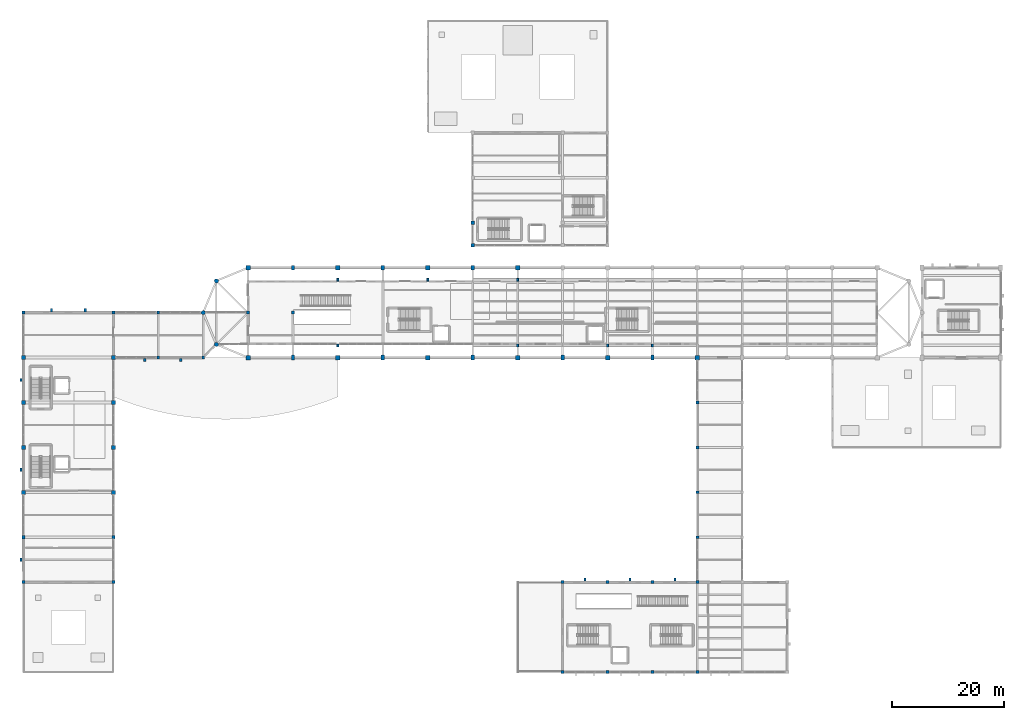
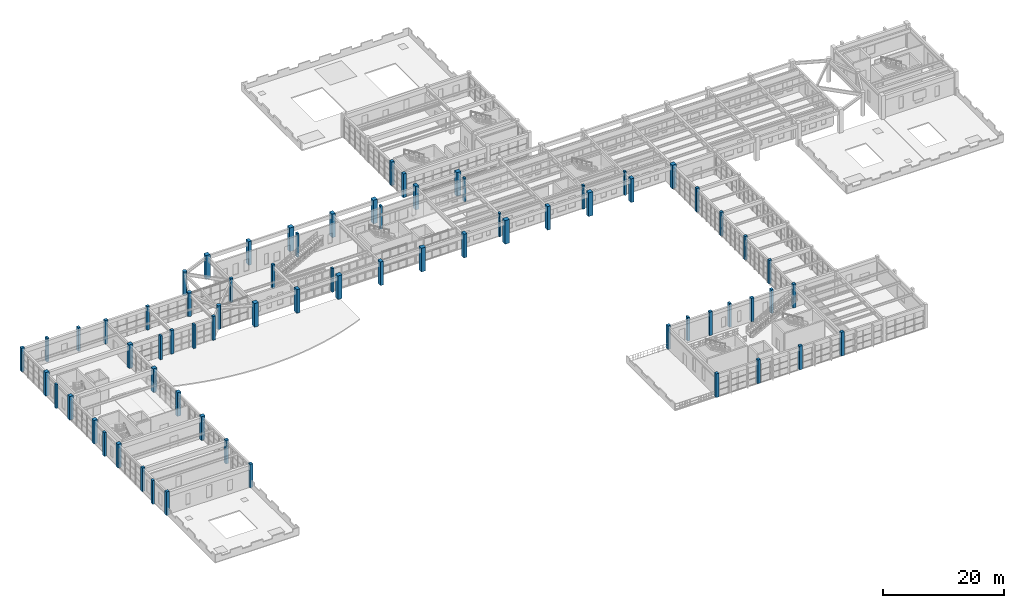
# One storey, part 1 of 59: 71 columns.
"""IFC4 building model written with IfcOpenShell, lengths in metres."""

from ifc_helpers import new_model, si_unit, direction, frame, origin, origin_2d, place, context, subcontext, project, spatial, rectangle, circle, extrude, material, material_profile, profile_set, type_object, element, save


model = new_model("IFC4")

# Units and contexts
model_context = context("Model", 3, precision=1e-05, world=origin(), true_north=direction((0.0, 1.0)))
body_context = subcontext(model_context, "Body", "Model", "MODEL_VIEW")
ifc_project = project(units=[si_unit("LENGTHUNIT", "METRE"), si_unit("AREAUNIT", "SQUARE_METRE"), si_unit("VOLUMEUNIT", "CUBIC_METRE"), si_unit("PLANEANGLEUNIT", "RADIAN"), si_unit("MASSUNIT", "GRAM", prefix="KILO")], contexts=[model_context])

# Site, building, storey
site_placement = place(None, origin())
site = spatial("IfcSite", under=ifc_project, at=site_placement, CompositionType="ELEMENT")
building_placement = place(site_placement, origin())
building = spatial("IfcBuilding", under=site, at=building_placement, Name="Serraluz Foothill Cableway Terminal", CompositionType="ELEMENT")
storey_placement = place(building_placement, frame((0.0, 0.0, 4.800048828125)))
storey = spatial("IfcBuildingStorey", under=building, at=storey_placement, Name="L01", CompositionType="ELEMENT", Elevation=4.800048828125)

# Columns
ifc_material_1 = material(Name="Concrete C35/45 (f'c 35 MPa)", Category="concrete")
ifc_material_profile_1 = material_profile(ifc_material_1, rectangle(XDim=0.5, YDim=0.5, at=origin_2d()), Name="RC 500x500")
ifc_profile_set_1 = profile_set([ifc_material_profile_1], Name="Concrete C35/45 (f'c 35 MPa)")
column_type_1 = type_object("IfcColumnType", Name="TYP-COL-RC500", PredefinedType="COLUMN", material=ifc_profile_set_1)
for number, where, z_axis, x_axis, name in (
    (1, (120.0, 24.0, 0.0), (0.0, 0.0, 1.0), (1.0, 0.0, 0.0), "Column COL-V3-CL-120-24-L01"),
    (2, (120.0, 32.0, 0.0), (0.0, 0.0, 1.0), (1.0, 0.0, 0.0), "Column COL-V3-CL-120-32-L01"),
    (3, (120.0, 40.0, 0.0), (0.0, 0.0, 1.0), (1.0, 0.0, 0.0), "Column COL-V3-CL-120-40-L01"),
    (4, (120.0, 48.0, 0.0), (0.0, 0.0, 1.0), (1.0, 0.0, 0.0), "Column COL-V3-CL-120-48-L01"),
    (5, (24.0, 56.0, 0.0), (0.0, 0.0, 1.0), (1.0, 0.0, 0.0), "Column COL-V5-LK-24-56-L01"),
    (6, (24.0, 64.0, 0.0), (0.0, 0.0, 1.0), (1.0, 0.0, 0.0), "Column COL-V5-LK-24-64-L01"),
    (7, (32.0, 56.0, 0.0), (0.0, 0.0, 1.0), (1.0, 0.0, 0.0), "Column COL-V5-LK-32-56-L01"),
    (8, (48.0, 64.0, 0.0), (0.0, 0.0, 1.0), (1.0, 0.0, 0.0), "Column COL-V5-LK-48-64-L01"),
    (9, (40.0, 64.0, 0.0), (0.0, 0.0, 1.0), (1.0, 0.0, 0.0), "West Link Bridge Column COL-V5-LK-40-64-L01"),
):
    element("IfcColumn", number, at=place(storey_placement, frame(where, z_axis=z_axis, x_axis=x_axis)), inside=storey, type_object=column_type_1, Name=name, PredefinedType="COLUMN", context=body_context, shape_type="SweptSolid", body=[
        extrude(rectangle(XDim=0.5, YDim=0.5, at=origin_2d()), origin(), (0.0, 0.0, 1.0), 4.800048828125),
    ])
ifc_material_profile_2 = material_profile(ifc_material_1, rectangle(XDim=0.550048828125, YDim=0.550048828125, at=origin_2d()), Name="RC 550x550")
ifc_profile_set_2 = profile_set([ifc_material_profile_2], Name="Concrete C35/45 (f'c 35 MPa)")
column_type_2 = type_object("IfcColumnType", Name="TYP-COL-RC550", PredefinedType="COLUMN", material=ifc_profile_set_2)
for number, where, z_axis, x_axis, name in (
    (10, (96.0, 0.0, 0.0), (0.0, 0.0, 1.0), (1.0, 0.0, 0.0), "Column COL-V3-96-0-L01"),
    (11, (96.0, 16.0, 0.0), (0.0, 0.0, 1.0), (1.0, 0.0, 0.0), "Column COL-V3-96-16-L01"),
    (12, (104.0, 0.0, 0.0), (0.0, 0.0, 1.0), (1.0, 0.0, 0.0), "Column COL-V3-104-0-L01"),
    (13, (104.0, 16.0, 0.0), (0.0, 0.0, 1.0), (1.0, 0.0, 0.0), "Column COL-V3-104-16-L01"),
    (14, (112.0, 0.0, 0.0), (0.0, 0.0, 1.0), (1.0, 0.0, 0.0), "Column COL-V3-112-0-L01"),
    (15, (112.0, 16.0, 0.0), (0.0, 0.0, 1.0), (1.0, 0.0, 0.0), "Column COL-V3-112-16-L01"),
    (16, (120.0, 0.0, 0.0), (0.0, 0.0, 1.0), (1.0, 0.0, 0.0), "Column COL-V3-120-0-L01"),
    (17, (120.0, 16.0, 0.0), (0.0, 0.0, 1.0), (1.0, 0.0, 0.0), "Column COL-V3-120-16-L01"),
    (18, (0.0, 16.0, 0.0), (0.0, 0.0, 1.0), (1.0, 0.0, 0.0), "Column COL-V5-0-16-L01"),
    (19, (16.0, 16.0, 0.0), (0.0, 0.0, 1.0), (1.0, 0.0, 0.0), "Column COL-V5-16-16-L01"),
    (20, (0.0, 24.0, 0.0), (0.0, 0.0, 1.0), (1.0, 0.0, 0.0), "Column COL-V5-0-24-L01"),
    (21, (16.0, 24.0, 0.0), (0.0, 0.0, 1.0), (1.0, 0.0, 0.0), "Column COL-V5-16-24-L01"),
    (22, (0.0, 64.0, 0.0), (0.0, 0.0, 1.0), (1.0, 0.0, 0.0), "Column COL-V5-0-64-L01"),
    (23, (16.0, 64.0, 0.0), (0.0, 0.0, 1.0), (1.0, 0.0, 0.0), "Column COL-V5-16-64-L01"),
):
    element("IfcColumn", number, at=place(storey_placement, frame(where, z_axis=z_axis, x_axis=x_axis)), inside=storey, type_object=column_type_2, Name=name, PredefinedType="COLUMN", context=body_context, shape_type="SweptSolid", body=[
        extrude(rectangle(XDim=0.550048828125, YDim=0.550048828125, at=origin_2d()), origin(), (0.0, 0.0, 1.0), 4.800048828125),
    ])
ifc_material_profile_3 = material_profile(ifc_material_1, rectangle(XDim=0.60009765625, YDim=0.60009765625, at=origin_2d()), Name="RC 600x600")
ifc_profile_set_3 = profile_set([ifc_material_profile_3], Name="Concrete C35/45 (f'c 35 MPa)")
column_type_3 = type_object("IfcColumnType", Name="TYP-COL-RC600", PredefinedType="COLUMN", material=ifc_profile_set_3)
for number, where, z_axis, x_axis, name in (
    (24, (80.0, 76.0, 0.0), (0.0, 0.0, 1.0), (1.0, 0.0, 0.0), "Column COL-V4-80-760-L01"),
    (25, (80.0, 80.0, 0.0), (0.0, 0.0, 1.0), (1.0, 0.0, 0.0), "Column COL-V4-80-800-L01"),
):
    element("IfcColumn", number, at=place(storey_placement, frame(where, z_axis=z_axis, x_axis=x_axis)), inside=storey, type_object=column_type_3, Name=name, PredefinedType="COLUMN", context=body_context, shape_type="SweptSolid", body=[
        extrude(rectangle(XDim=0.60009765625, YDim=0.60009765625, at=origin_2d()), origin(), (0.0, 0.0, 1.0), 4.800048828125),
    ])
ifc_material_profile_4 = material_profile(ifc_material_1, rectangle(XDim=0.60009765625, YDim=0.85009765625, at=origin_2d()), Name="RC 600x850")
ifc_profile_set_4 = profile_set([ifc_material_profile_4], Name="Concrete C35/45 (f'c 35 MPa)")
column_type_4 = type_object("IfcColumnType", Name="TYP-COL-RC600X850", PredefinedType="COLUMN", material=ifc_profile_set_4)
for number, where, z_axis, x_axis, name in (
    (26, (48.0, 56.0, 0.0), (0.0, 0.0, 1.0), (1.0, 0.0, 0.0), "Column COL-V1-S-48-L01"),
    (27, (48.0, 72.0, 0.0), (0.0, 0.0, 1.0), (1.0, 0.0, 0.0), "Column COL-V1-N-48-L01"),
    (28, (64.0, 56.0, 0.0), (0.0, 0.0, 1.0), (1.0, 0.0, 0.0), "Column COL-V1-S-64-L01"),
    (29, (64.0, 72.0, 0.0), (0.0, 0.0, 1.0), (1.0, 0.0, 0.0), "Column COL-V1-N-64-L01"),
    (30, (80.0, 56.0, 0.0), (0.0, 0.0, 1.0), (1.0, 0.0, 0.0), "Column COL-V1-S-80-L01"),
    (31, (80.0, 72.0, 0.0), (0.0, 0.0, 1.0), (1.0, 0.0, 0.0), "Column COL-V1-N-80-L01"),
    (32, (96.0, 56.0, 0.0), (0.0, 0.0, 1.0), (1.0, 0.0, 0.0), "Column COL-V1-S-96-L01"),
    (33, (112.0, 56.0, 0.0), (0.0, 0.0, 1.0), (1.0, 0.0, 0.0), "Column COL-V1-S-112-L01"),
):
    element("IfcColumn", number, at=place(storey_placement, frame(where, z_axis=z_axis, x_axis=x_axis)), inside=storey, type_object=column_type_4, Name=name, PredefinedType="COLUMN", context=body_context, shape_type="SweptSolid", body=[
        extrude(rectangle(XDim=0.60009765625, YDim=0.85009765625, at=origin_2d()), origin(), (0.0, 0.0, 1.0), 4.800048828125),
    ])
ifc_material_profile_5 = material_profile(ifc_material_1, rectangle(XDim=0.699951171875, YDim=0.699951171875, at=origin_2d()), Name="RC 700x700")
ifc_profile_set_5 = profile_set([ifc_material_profile_5], Name="Concrete C35/45 (f'c 35 MPa)")
column_type_5 = type_object("IfcColumnType", Name="TYP-COL-RC700", PredefinedType="COLUMN", material=ifc_profile_set_5)
for number, where, z_axis, x_axis, name in (
    (34, (0.0, 32.0, 0.0), (0.0, 0.0, 1.0), (1.0, 0.0, 0.0), "Column COL-V5-0-32-L01"),
    (35, (16.0, 32.0, 0.0), (0.0, 0.0, 1.0), (1.0, 0.0, 0.0), "Column COL-V5-16-32-L01"),
    (36, (0.0, 40.0, 0.0), (0.0, 0.0, 1.0), (1.0, 0.0, 0.0), "Column COL-V5-0-40-L01"),
    (37, (16.0, 40.0, 0.0), (0.0, 0.0, 1.0), (1.0, 0.0, 0.0), "Column COL-V5-16-40-L01"),
    (38, (0.0, 48.0, 0.0), (0.0, 0.0, 1.0), (1.0, 0.0, 0.0), "Column COL-V5-0-48-L01"),
    (39, (16.0, 48.0, 0.0), (0.0, 0.0, 1.0), (1.0, 0.0, 0.0), "Column COL-V5-16-48-L01"),
    (40, (0.0, 56.0, 0.0), (0.0, 0.0, 1.0), (1.0, 0.0, 0.0), "Column COL-V5-0-56-L01"),
    (41, (16.0, 56.0, 0.0), (0.0, 0.0, 1.0), (1.0, 0.0, 0.0), "Column COL-V5-16-56-L01"),
):
    element("IfcColumn", number, at=place(storey_placement, frame(where, z_axis=z_axis, x_axis=x_axis)), inside=storey, type_object=column_type_5, Name=name, PredefinedType="COLUMN", context=body_context, shape_type="SweptSolid", body=[
        extrude(rectangle(XDim=0.699951171875, YDim=0.699951171875, at=origin_2d()), origin(), (0.0, 0.0, 1.0), 4.800048828125),
    ])
ifc_material_profile_6 = material_profile(ifc_material_1, rectangle(XDim=0.800048828125, YDim=0.800048828125, at=origin_2d()), Name="RC 800x800")
ifc_profile_set_6 = profile_set([ifc_material_profile_6], Name="Concrete C35/45 (f'c 35 MPa)")
column_type_6 = type_object("IfcColumnType", Name="TYP-COL-RC800", PredefinedType="COLUMN", material=ifc_profile_set_6)
for number, where, z_axis, x_axis, name in (
    (42, (40.0, 56.0, 0.0), (0.0, 0.0, 1.0), (1.0, 0.0, 0.0), "Column COL-V1-S-40-L01"),
    (43, (40.0, 72.0, 0.0), (0.0, 0.0, 1.0), (1.0, 0.0, 0.0), "Column COL-V1-N-40-L01"),
    (44, (56.0, 56.0, 0.0), (0.0, 0.0, 1.0), (1.0, 0.0, 0.0), "Column COL-V1-S-56-L01"),
    (45, (56.0, 72.0, 0.0), (0.0, 0.0, 1.0), (1.0, 0.0, 0.0), "Column COL-V1-N-56-L01"),
    (46, (72.0, 56.0, 0.0), (0.0, 0.0, 1.0), (1.0, 0.0, 0.0), "Column COL-V1-S-72-L01"),
    (47, (72.0, 72.0, 0.0), (0.0, 0.0, 1.0), (1.0, 0.0, 0.0), "Column COL-V1-N-72-L01"),
    (48, (88.0, 56.0, 0.0), (0.0, 0.0, 1.0), (1.0, 0.0, 0.0), "Column COL-V1-S-88-L01"),
    (49, (88.0, 72.0, 0.0), (0.0, 0.0, 1.0), (1.0, 0.0, 0.0), "Column COL-V1-N-88-L01"),
    (50, (104.0, 56.0, 0.0), (0.0, 0.0, 1.0), (1.0, 0.0, 0.0), "Column COL-V1-S-104-L01"),
    (51, (120.0, 56.0, 0.0), (0.0, 0.0, 1.0), (1.0, 0.0, 0.0), "Column COL-V1-S-120-L01"),
):
    element("IfcColumn", number, at=place(storey_placement, frame(where, z_axis=z_axis, x_axis=x_axis)), inside=storey, type_object=column_type_6, Name=name, PredefinedType="COLUMN", context=body_context, shape_type="SweptSolid", body=[
        extrude(rectangle(XDim=0.800048828125, YDim=0.800048828125, at=origin_2d()), origin(), (0.0, 0.0, 1.0), 4.800048828125),
    ])
ifc_material_profile_7 = material_profile(ifc_material_1, circle(Radius=0.375, at=origin_2d()), Name="RC D750")
ifc_profile_set_7 = profile_set([ifc_material_profile_7], Name="Concrete C35/45 (f'c 35 MPa)")
column_type_7 = type_object("IfcColumnType", Name="TYP-COL-RCD750", PredefinedType="COLUMN", material=ifc_profile_set_7)
for number, where, z_axis, x_axis, name in (
    (52, (34.343017578125, 58.343017578125, 0.0), (0.0, 0.0, 1.0), (1.0, 0.0, 0.0), "Column COL-V1-ARC-W1-L01"),
    (53, (32.0, 64.0, 0.0), (0.0, 0.0, 1.0), (1.0, 0.0, 0.0), "Column COL-V1-ARC-W2-L01"),
    (54, (34.343017578125, 69.656982421875, 0.0), (0.0, 0.0, 1.0), (1.0, 0.0, 0.0), "Column COL-V1-ARC-W3-L01"),
):
    element("IfcColumn", number, at=place(storey_placement, frame(where, z_axis=z_axis, x_axis=x_axis)), inside=storey, type_object=column_type_7, Name=name, PredefinedType="COLUMN", context=body_context, shape_type="SweptSolid", body=[
        extrude(circle(Radius=0.375, at=origin_2d()), origin(), (0.0, 0.0, 1.0), 4.800048828125),
    ])
ifc_material_2 = material(Name="Dark clinker clay masonry brick (f'm 14 MPa)", Category="masonry")
ifc_material_profile_8 = material_profile(ifc_material_2, rectangle(XDim=0.35009765625, YDim=0.5, at=origin_2d()), Name="PIL 350x500")
ifc_profile_set_8 = profile_set([ifc_material_profile_8], Name="Dark clinker clay masonry brick (f'm 14 MPa)")
column_type_8 = type_object("IfcColumnType", Name="TYP-PIL-350X500", PredefinedType="PILASTER", material=ifc_profile_set_8)
for number, where, z_axis, x_axis, name in (
    (55, (56.0, 58.14990234375, 0.0), (0.0, 0.0, 1.0), (1.0, 0.0, 0.0), "Brick Pilaster Pier PL-01 L01"),
    (56, (88.0, 58.14990234375, 0.0), (0.0, 0.0, 1.0), (1.0, 0.0, 0.0), "Brick Pilaster Pier PL-02 L01"),
    (57, (104.0, 58.14990234375, 0.0), (0.0, 0.0, 1.0), (1.0, 0.0, 0.0), "Brick Pilaster Pier PL-03 L01"),
    (58, (112.0, 58.14990234375, 0.0), (0.0, 0.0, 1.0), (1.0, 0.0, 0.0), "Brick Pilaster Pier PL-04 L01"),
    (59, (56.0, 69.85009765625, 0.0), (0.0, 0.0, 1.0), (1.0, 0.0, 0.0), "Brick Pilaster Pier PL-06 L01"),
    (60, (72.0, 69.85009765625, 0.0), (0.0, 0.0, 1.0), (1.0, 0.0, 0.0), "Brick Pilaster Pier PL-07 L01"),
    (61, (88.0, 69.85009765625, 0.0), (0.0, 0.0, 1.0), (1.0, 0.0, 0.0), "Brick Pilaster Pier PL-08 L01"),
):
    element("IfcColumn", number, at=place(storey_placement, frame(where, z_axis=z_axis, x_axis=x_axis)), inside=storey, type_object=column_type_8, Name=name, PredefinedType="PILASTER", context=body_context, shape_type="SweptSolid", body=[
        extrude(rectangle(XDim=0.35009765625, YDim=0.5, at=origin_2d()), origin(), (0.0, 0.0, 1.0), 4.800048828125),
    ])
ifc_material_3 = material(Name="Fired clay masonry brick (f'm 12 MPa)", Category="masonry")
ifc_material_profile_9 = material_profile(ifc_material_3, rectangle(XDim=0.39990234375, YDim=0.60009765625, at=origin_2d()), Name="PIL 400x600")
ifc_profile_set_9 = profile_set([ifc_material_profile_9], Name="Fired clay masonry brick (f'm 12 MPa)")
column_type_9 = type_object("IfcColumnType", Name="TYP-PIL-400X600", PredefinedType="PILASTER", material=ifc_profile_set_9)
for number, where, z_axis, x_axis, name in (
    (62, (100.0, 16.47998046875, 0.0), (0.0, 0.0, 1.0), (1.0, 0.0, 0.0), "Brick Pilaster Pier PL-18 L01"),
    (63, (108.0, 16.47998046875, 0.0), (0.0, 0.0, 1.0), (1.0, 0.0, 0.0), "Brick Pilaster Pier PL-19 L01"),
    (64, (116.0, 16.47998046875, 0.0), (0.0, 0.0, 1.0), (1.0, 0.0, 0.0), "Brick Pilaster Pier PL-20 L01"),
    (65, (21.60009765625, 55.56005859375, 0.0), (0.0, 0.0, 1.0), (1.0, 0.0, 0.0), "Brick Pilaster Pier PL-31 L01"),
    (66, (28.0, 55.56005859375, 0.0), (0.0, 0.0, 1.0), (1.0, 0.0, 0.0), "Brick Pilaster Pier PL-32 L01"),
    (67, (5.0, 64.419921875, 0.0), (0.0, 0.0, 1.0), (1.0, 0.0, 0.0), "Brick Pilaster Pier PL-36 L01"),
    (68, (11.0, 64.419921875, 0.0), (0.0, 0.0, 1.0), (1.0, 0.0, 0.0), "Brick Pilaster Pier PL-37 L01"),
    (69, (-0.419921875, 20.0, 0.0), (0.0, 0.0, 1.0), (1.0, 0.0, 0.0), "Brick Pilaster Pier PL-39 L01"),
    (70, (-0.419921875, 36.0, 0.0), (0.0, 0.0, 1.0), (1.0, 0.0, 0.0), "Brick Pilaster Pier PL-40 L01"),
    (71, (-0.419921875, 52.0, 0.0), (0.0, 0.0, 1.0), (1.0, 0.0, 0.0), "Brick Pilaster Pier PL-41 L01"),
):
    element("IfcColumn", number, at=place(storey_placement, frame(where, z_axis=z_axis, x_axis=x_axis)), inside=storey, type_object=column_type_9, Name=name, PredefinedType="PILASTER", context=body_context, shape_type="SweptSolid", body=[
        extrude(rectangle(XDim=0.39990234375, YDim=0.60009765625, at=origin_2d()), origin(), (0.0, 0.0, 1.0), 4.800048828125),
    ])

save(model, "model.ifc")
